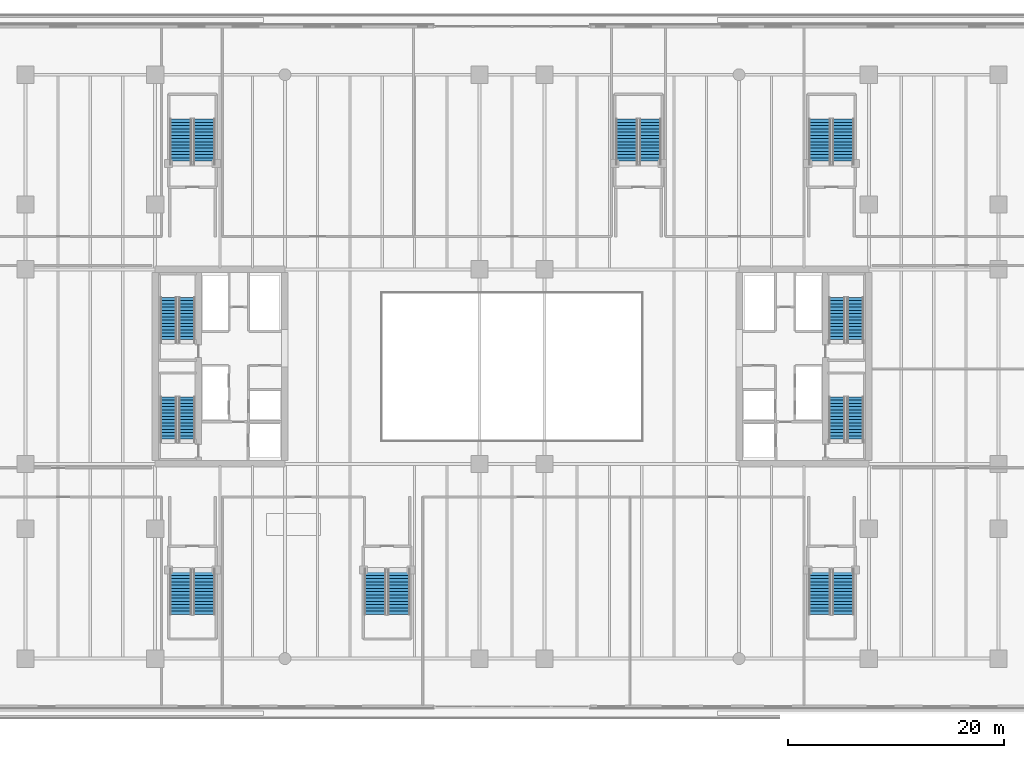
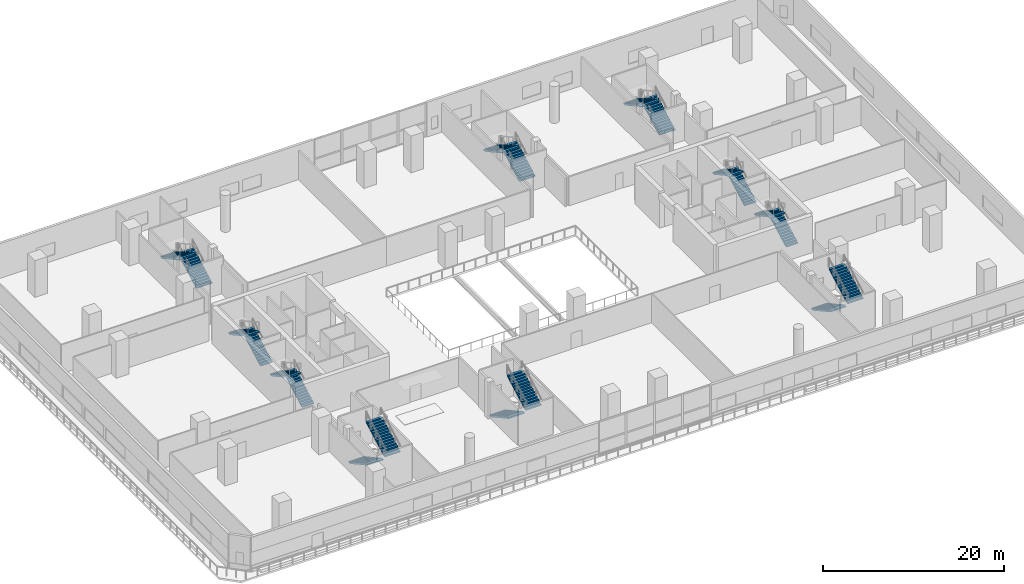
# One storey, part 17 of 27: 20 stair flights, 10 elements without a shape of their own.
"""IFC4 building model written with IfcOpenShell, lengths in metres."""

from ifc_helpers import new_model, si_unit, direction, frame, origin, place, context, subcontext, project, spatial, polyline, outline, extrude, material, type_object, element, aggregate, save


model = new_model("IFC4")

# Units and contexts
model_context = context("Model", 3, precision=1e-05, world=origin(), true_north=direction((0.0, 1.0)))
body_context = subcontext(model_context, "Body", "Model", "MODEL_VIEW")
ifc_project = project(units=[si_unit("LENGTHUNIT", "METRE"), si_unit("AREAUNIT", "SQUARE_METRE"), si_unit("VOLUMEUNIT", "CUBIC_METRE"), si_unit("PLANEANGLEUNIT", "RADIAN"), si_unit("MASSUNIT", "GRAM", prefix="KILO")], contexts=[model_context])

# Site, building, storey
site_placement = place(None, origin())
site = spatial("IfcSite", under=ifc_project, at=site_placement, CompositionType="ELEMENT")
building_placement = place(site_placement, origin())
building = spatial("IfcBuilding", under=site, at=building_placement, Name="Tanjung Sevakor Pilgrim Tower", CompositionType="ELEMENT")
storey_placement = place(building_placement, frame((0.0, 0.0, 9.89990234375)))
storey = spatial("IfcBuildingStorey", under=building, at=storey_placement, Name="L03", CompositionType="ELEMENT", Elevation=9.89990234375)

# Stair, stair flights
ifc_material_1 = material(Name="Concrete C40/50", Category="concrete")
stair_type_1 = type_object("IfcStairType", Name="STAIR-ST-CR150", PredefinedType="HALF_TURN_STAIR", material=ifc_material_1)
stair_1_placement = place(storey_placement, origin())
stair_1 = element("IfcStair", 1, at=stair_1_placement, inside=storey, type_object=stair_type_1, Name="L03 West Core Exit Stair 1", PredefinedType="HALF_TURN_STAIR")
ifc_material_2 = material(Name="Concrete C40/50", Category="concrete")
stair_flight_type_1 = type_object("IfcStairFlightType", Name="FLIGHT-ST-CR150", PredefinedType="STRAIGHT", material=ifc_material_2)
stair_flight_1_placement = place(storey_placement, frame((26.949951171875, 26.60009765625, 0.0), z_axis=(0.0, 0.0, 1.0), x_axis=(0.0, 1.0, 0.0)))
stair_flight_1 = element("IfcStairFlight", 2, at=stair_flight_1_placement, type_object=stair_flight_type_1, Name="TS-W1 flight 1", NumberOfRisers=15, NumberOfTreads=14, PredefinedType="STRAIGHT", RiserHeight=0.165, TreadLength=0.3, context=body_context, shape_type="SweptSolid", body=[
    extrude(outline(polyline([(0.0, 0.0), (0.0, 0.1650390625), (0.300048828125, 0.1650390625), (0.300048828125, 0.330078125), (0.60009765625, 0.330078125), (0.60009765625, 0.4951171875), (0.89990234375, 0.4951171875), (0.89990234375, 0.659912109375), (1.199951171875, 0.659912109375), (1.199951171875, 0.824951171875), (1.5, 0.824951171875), (1.5, 0.989990234375), (1.800048828125, 0.989990234375), (1.800048828125, 1.155029296875), (2.10009765625, 1.155029296875), (2.10009765625, 1.320068359375), (2.39990234375, 1.320068359375), (2.39990234375, 1.485107421875), (2.699951171875, 1.485107421875), (2.699951171875, 1.64990234375), (3.0, 1.64990234375), (3.0, 1.81494140625), (3.300048828125, 1.81494140625), (3.300048828125, 1.97998046875), (3.60009765625, 1.97998046875), (3.60009765625, 2.14501953125), (3.89990234375, 2.14501953125), (3.89990234375, 2.31005859375), (4.199951171875, 2.31005859375), (4.199951171875, 2.47509765625), (4.199951171875, 2.12744140625), (0.331787109375, 0.0), (0.0, 0.0)])), frame((0.0, 0.75, 0.0), z_axis=(0.0, -1.0, 0.0), x_axis=(1.0, 0.0, 0.0)), (0.0, 0.0, 1.0), 1.5),
])
stair_flight_2_placement = place(storey_placement, frame((25.25, 30.800048828125, 2.47509765625), z_axis=(0.0, 0.0, 1.0), x_axis=(0.0, -1.0, 0.0)))
stair_flight_2 = element("IfcStairFlight", 3, at=stair_flight_2_placement, type_object=stair_flight_type_1, Name="TS-W1 flight 2", NumberOfRisers=15, NumberOfTreads=14, PredefinedType="STRAIGHT", RiserHeight=0.165, TreadLength=0.3, context=body_context, shape_type="SweptSolid", body=[
    extrude(outline(polyline([(0.0, 0.0), (0.0, 0.1650390625), (0.300048828125, 0.1650390625), (0.300048828125, 0.330078125), (0.60009765625, 0.330078125), (0.60009765625, 0.4951171875), (0.89990234375, 0.4951171875), (0.89990234375, 0.659912109375), (1.199951171875, 0.659912109375), (1.199951171875, 0.824951171875), (1.5, 0.824951171875), (1.5, 0.989990234375), (1.800048828125, 0.989990234375), (1.800048828125, 1.155029296875), (2.10009765625, 1.155029296875), (2.10009765625, 1.320068359375), (2.39990234375, 1.320068359375), (2.39990234375, 1.485107421875), (2.699951171875, 1.485107421875), (2.699951171875, 1.64990234375), (3.0, 1.64990234375), (3.0, 1.81494140625), (3.300048828125, 1.81494140625), (3.300048828125, 1.97998046875), (3.60009765625, 1.97998046875), (3.60009765625, 2.14501953125), (3.89990234375, 2.14501953125), (3.89990234375, 2.31005859375), (4.199951171875, 2.31005859375), (4.199951171875, 2.47509765625), (4.199951171875, 2.12744140625), (0.331787109375, 0.0), (0.0, 0.0)])), frame((0.0, 0.75, 0.0), z_axis=(0.0, -1.0, 0.0), x_axis=(1.0, 0.0, 0.0)), (0.0, 0.0, 1.0), 1.5),
])
aggregate(stair_1, [stair_flight_1, stair_flight_2])

stair_2_placement = place(storey_placement, origin())
stair_2 = element("IfcStair", 4, at=stair_2_placement, inside=storey, type_object=stair_type_1, Name="L03 West Core Exit Stair 2", PredefinedType="HALF_TURN_STAIR")
stair_flight_3_placement = place(storey_placement, frame((26.949951171875, 35.800048828125, 0.0), z_axis=(0.0, 0.0, 1.0), x_axis=(0.0, 1.0, 0.0)))
stair_flight_3 = element("IfcStairFlight", 5, at=stair_flight_3_placement, type_object=stair_flight_type_1, Name="TS-W2 flight 1", NumberOfRisers=15, NumberOfTreads=14, PredefinedType="STRAIGHT", RiserHeight=0.165, TreadLength=0.3, context=body_context, shape_type="SweptSolid", body=[
    extrude(outline(polyline([(0.0, 0.0), (0.0, 0.1650390625), (0.300048828125, 0.1650390625), (0.300048828125, 0.330078125), (0.60009765625, 0.330078125), (0.60009765625, 0.4951171875), (0.89990234375, 0.4951171875), (0.89990234375, 0.659912109375), (1.199951171875, 0.659912109375), (1.199951171875, 0.824951171875), (1.5, 0.824951171875), (1.5, 0.989990234375), (1.800048828125, 0.989990234375), (1.800048828125, 1.155029296875), (2.10009765625, 1.155029296875), (2.10009765625, 1.320068359375), (2.39990234375, 1.320068359375), (2.39990234375, 1.485107421875), (2.699951171875, 1.485107421875), (2.699951171875, 1.64990234375), (3.0, 1.64990234375), (3.0, 1.81494140625), (3.300048828125, 1.81494140625), (3.300048828125, 1.97998046875), (3.60009765625, 1.97998046875), (3.60009765625, 2.14501953125), (3.89990234375, 2.14501953125), (3.89990234375, 2.31005859375), (4.199951171875, 2.31005859375), (4.199951171875, 2.47509765625), (4.199951171875, 2.12744140625), (0.331787109375, 0.0), (0.0, 0.0)])), frame((0.0, 0.75, 0.0), z_axis=(0.0, -1.0, 0.0), x_axis=(1.0, 0.0, 0.0)), (0.0, 0.0, 1.0), 1.5),
])
stair_flight_4_placement = place(storey_placement, frame((25.25, 40.0, 2.47509765625), z_axis=(0.0, 0.0, 1.0), x_axis=(0.0, -1.0, 0.0)))
stair_flight_4 = element("IfcStairFlight", 6, at=stair_flight_4_placement, type_object=stair_flight_type_1, Name="TS-W2 flight 2", NumberOfRisers=15, NumberOfTreads=14, PredefinedType="STRAIGHT", RiserHeight=0.165, TreadLength=0.3, context=body_context, shape_type="SweptSolid", body=[
    extrude(outline(polyline([(0.0, 0.0), (0.0, 0.1650390625), (0.300048828125, 0.1650390625), (0.300048828125, 0.330078125), (0.60009765625, 0.330078125), (0.60009765625, 0.4951171875), (0.89990234375, 0.4951171875), (0.89990234375, 0.659912109375), (1.199951171875, 0.659912109375), (1.199951171875, 0.824951171875), (1.5, 0.824951171875), (1.5, 0.989990234375), (1.800048828125, 0.989990234375), (1.800048828125, 1.155029296875), (2.10009765625, 1.155029296875), (2.10009765625, 1.320068359375), (2.39990234375, 1.320068359375), (2.39990234375, 1.485107421875), (2.699951171875, 1.485107421875), (2.699951171875, 1.64990234375), (3.0, 1.64990234375), (3.0, 1.81494140625), (3.300048828125, 1.81494140625), (3.300048828125, 1.97998046875), (3.60009765625, 1.97998046875), (3.60009765625, 2.14501953125), (3.89990234375, 2.14501953125), (3.89990234375, 2.31005859375), (4.199951171875, 2.31005859375), (4.199951171875, 2.47509765625), (4.199951171875, 2.12744140625), (0.331787109375, 0.0), (0.0, 0.0)])), frame((0.0, 0.75, 0.0), z_axis=(0.0, -1.0, 0.0), x_axis=(1.0, 0.0, 0.0)), (0.0, 0.0, 1.0), 1.5),
])
aggregate(stair_2, [stair_flight_3, stair_flight_4])

stair_3_placement = place(storey_placement, origin())
stair_3 = element("IfcStair", 7, at=stair_3_placement, inside=storey, type_object=stair_type_1, Name="L03 East Core Exit Stair 1", PredefinedType="HALF_TURN_STAIR")
stair_flight_5_placement = place(storey_placement, frame((88.75, 26.60009765625, 0.0), z_axis=(0.0, 0.0, 1.0), x_axis=(0.0, 1.0, 0.0)))
stair_flight_5 = element("IfcStairFlight", 8, at=stair_flight_5_placement, type_object=stair_flight_type_1, Name="TS-E1 flight 1", NumberOfRisers=15, NumberOfTreads=14, PredefinedType="STRAIGHT", RiserHeight=0.165, TreadLength=0.3, context=body_context, shape_type="SweptSolid", body=[
    extrude(outline(polyline([(0.0, 0.0), (0.0, 0.1650390625), (0.300048828125, 0.1650390625), (0.300048828125, 0.330078125), (0.60009765625, 0.330078125), (0.60009765625, 0.4951171875), (0.89990234375, 0.4951171875), (0.89990234375, 0.659912109375), (1.199951171875, 0.659912109375), (1.199951171875, 0.824951171875), (1.5, 0.824951171875), (1.5, 0.989990234375), (1.800048828125, 0.989990234375), (1.800048828125, 1.155029296875), (2.10009765625, 1.155029296875), (2.10009765625, 1.320068359375), (2.39990234375, 1.320068359375), (2.39990234375, 1.485107421875), (2.699951171875, 1.485107421875), (2.699951171875, 1.64990234375), (3.0, 1.64990234375), (3.0, 1.81494140625), (3.300048828125, 1.81494140625), (3.300048828125, 1.97998046875), (3.60009765625, 1.97998046875), (3.60009765625, 2.14501953125), (3.89990234375, 2.14501953125), (3.89990234375, 2.31005859375), (4.199951171875, 2.31005859375), (4.199951171875, 2.47509765625), (4.199951171875, 2.12744140625), (0.331787109375, 0.0), (0.0, 0.0)])), frame((0.0, 0.75, 0.0), z_axis=(0.0, -1.0, 0.0), x_axis=(1.0, 0.0, 0.0)), (0.0, 0.0, 1.0), 1.5),
])
stair_flight_6_placement = place(storey_placement, frame((87.050048828125, 30.800048828125, 2.47509765625), z_axis=(0.0, 0.0, 1.0), x_axis=(0.0, -1.0, 0.0)))
stair_flight_6 = element("IfcStairFlight", 9, at=stair_flight_6_placement, type_object=stair_flight_type_1, Name="TS-E1 flight 2", NumberOfRisers=15, NumberOfTreads=14, PredefinedType="STRAIGHT", RiserHeight=0.165, TreadLength=0.3, context=body_context, shape_type="SweptSolid", body=[
    extrude(outline(polyline([(0.0, 0.0), (0.0, 0.1650390625), (0.300048828125, 0.1650390625), (0.300048828125, 0.330078125), (0.60009765625, 0.330078125), (0.60009765625, 0.4951171875), (0.89990234375, 0.4951171875), (0.89990234375, 0.659912109375), (1.199951171875, 0.659912109375), (1.199951171875, 0.824951171875), (1.5, 0.824951171875), (1.5, 0.989990234375), (1.800048828125, 0.989990234375), (1.800048828125, 1.155029296875), (2.10009765625, 1.155029296875), (2.10009765625, 1.320068359375), (2.39990234375, 1.320068359375), (2.39990234375, 1.485107421875), (2.699951171875, 1.485107421875), (2.699951171875, 1.64990234375), (3.0, 1.64990234375), (3.0, 1.81494140625), (3.300048828125, 1.81494140625), (3.300048828125, 1.97998046875), (3.60009765625, 1.97998046875), (3.60009765625, 2.14501953125), (3.89990234375, 2.14501953125), (3.89990234375, 2.31005859375), (4.199951171875, 2.31005859375), (4.199951171875, 2.47509765625), (4.199951171875, 2.12744140625), (0.331787109375, 0.0), (0.0, 0.0)])), frame((0.0, 0.75, 0.0), z_axis=(0.0, -1.0, 0.0), x_axis=(1.0, 0.0, 0.0)), (0.0, 0.0, 1.0), 1.5),
])
aggregate(stair_3, [stair_flight_5, stair_flight_6])

stair_4_placement = place(storey_placement, origin())
stair_4 = element("IfcStair", 10, at=stair_4_placement, inside=storey, type_object=stair_type_1, Name="L03 East Core Exit Stair 2", PredefinedType="HALF_TURN_STAIR")
stair_flight_7_placement = place(storey_placement, frame((88.75, 35.800048828125, 0.0), z_axis=(0.0, 0.0, 1.0), x_axis=(0.0, 1.0, 0.0)))
stair_flight_7 = element("IfcStairFlight", 11, at=stair_flight_7_placement, type_object=stair_flight_type_1, Name="TS-E2 flight 1", NumberOfRisers=15, NumberOfTreads=14, PredefinedType="STRAIGHT", RiserHeight=0.165, TreadLength=0.3, context=body_context, shape_type="SweptSolid", body=[
    extrude(outline(polyline([(0.0, 0.0), (0.0, 0.1650390625), (0.300048828125, 0.1650390625), (0.300048828125, 0.330078125), (0.60009765625, 0.330078125), (0.60009765625, 0.4951171875), (0.89990234375, 0.4951171875), (0.89990234375, 0.659912109375), (1.199951171875, 0.659912109375), (1.199951171875, 0.824951171875), (1.5, 0.824951171875), (1.5, 0.989990234375), (1.800048828125, 0.989990234375), (1.800048828125, 1.155029296875), (2.10009765625, 1.155029296875), (2.10009765625, 1.320068359375), (2.39990234375, 1.320068359375), (2.39990234375, 1.485107421875), (2.699951171875, 1.485107421875), (2.699951171875, 1.64990234375), (3.0, 1.64990234375), (3.0, 1.81494140625), (3.300048828125, 1.81494140625), (3.300048828125, 1.97998046875), (3.60009765625, 1.97998046875), (3.60009765625, 2.14501953125), (3.89990234375, 2.14501953125), (3.89990234375, 2.31005859375), (4.199951171875, 2.31005859375), (4.199951171875, 2.47509765625), (4.199951171875, 2.12744140625), (0.331787109375, 0.0), (0.0, 0.0)])), frame((0.0, 0.75, 0.0), z_axis=(0.0, -1.0, 0.0), x_axis=(1.0, 0.0, 0.0)), (0.0, 0.0, 1.0), 1.5),
])
stair_flight_8_placement = place(storey_placement, frame((87.050048828125, 40.0, 2.47509765625), z_axis=(0.0, 0.0, 1.0), x_axis=(0.0, -1.0, 0.0)))
stair_flight_8 = element("IfcStairFlight", 12, at=stair_flight_8_placement, type_object=stair_flight_type_1, Name="TS-E2 flight 2", NumberOfRisers=15, NumberOfTreads=14, PredefinedType="STRAIGHT", RiserHeight=0.165, TreadLength=0.3, context=body_context, shape_type="SweptSolid", body=[
    extrude(outline(polyline([(0.0, 0.0), (0.0, 0.1650390625), (0.300048828125, 0.1650390625), (0.300048828125, 0.330078125), (0.60009765625, 0.330078125), (0.60009765625, 0.4951171875), (0.89990234375, 0.4951171875), (0.89990234375, 0.659912109375), (1.199951171875, 0.659912109375), (1.199951171875, 0.824951171875), (1.5, 0.824951171875), (1.5, 0.989990234375), (1.800048828125, 0.989990234375), (1.800048828125, 1.155029296875), (2.10009765625, 1.155029296875), (2.10009765625, 1.320068359375), (2.39990234375, 1.320068359375), (2.39990234375, 1.485107421875), (2.699951171875, 1.485107421875), (2.699951171875, 1.64990234375), (3.0, 1.64990234375), (3.0, 1.81494140625), (3.300048828125, 1.81494140625), (3.300048828125, 1.97998046875), (3.60009765625, 1.97998046875), (3.60009765625, 2.14501953125), (3.89990234375, 2.14501953125), (3.89990234375, 2.31005859375), (4.199951171875, 2.31005859375), (4.199951171875, 2.47509765625), (4.199951171875, 2.12744140625), (0.331787109375, 0.0), (0.0, 0.0)])), frame((0.0, 0.75, 0.0), z_axis=(0.0, -1.0, 0.0), x_axis=(1.0, 0.0, 0.0)), (0.0, 0.0, 1.0), 1.5),
])
aggregate(stair_4, [stair_flight_7, stair_flight_8])

ifc_material_3 = material(Name="Concrete C40/50", Category="concrete")
stair_type_2 = type_object("IfcStairType", Name="STAIR-ST-PD200", PredefinedType="HALF_TURN_STAIR", material=ifc_material_3)
stair_5_placement = place(storey_placement, origin())
stair_5 = element("IfcStair", 13, at=stair_5_placement, inside=storey, type_object=stair_type_2, Name="L03 Podium South-West Assembly Stair", PredefinedType="HALF_TURN_STAIR")
ifc_material_4 = material(Name="Concrete C40/50", Category="concrete")
stair_flight_type_2 = type_object("IfcStairFlightType", Name="FLIGHT-ST-PD200", PredefinedType="STRAIGHT", material=ifc_material_4)
stair_flight_9_placement = place(storey_placement, frame((26.35009765625, 14.89990234375, 0.0), z_axis=(0.0, 0.0, 1.0), x_axis=(0.0, -1.0, 0.0)))
stair_flight_9 = element("IfcStairFlight", 14, at=stair_flight_9_placement, type_object=stair_flight_type_2, Name="PS-1 flight 1", NumberOfRisers=15, NumberOfTreads=14, PredefinedType="STRAIGHT", RiserHeight=0.165, TreadLength=0.3, context=body_context, shape_type="SweptSolid", body=[
    extrude(outline(polyline([(0.0, 0.0), (0.0, 0.1650390625), (0.300048828125, 0.1650390625), (0.300048828125, 0.330078125), (0.60009765625, 0.330078125), (0.60009765625, 0.4951171875), (0.89990234375, 0.4951171875), (0.89990234375, 0.659912109375), (1.199951171875, 0.659912109375), (1.199951171875, 0.824951171875), (1.5, 0.824951171875), (1.5, 0.989990234375), (1.800048828125, 0.989990234375), (1.800048828125, 1.155029296875), (2.10009765625, 1.155029296875), (2.10009765625, 1.320068359375), (2.39990234375, 1.320068359375), (2.39990234375, 1.485107421875), (2.699951171875, 1.485107421875), (2.699951171875, 1.64990234375), (3.0, 1.64990234375), (3.0, 1.81494140625), (3.300048828125, 1.81494140625), (3.300048828125, 1.97998046875), (3.60009765625, 1.97998046875), (3.60009765625, 2.14501953125), (3.89990234375, 2.14501953125), (3.89990234375, 2.31005859375), (4.199951171875, 2.31005859375), (4.199951171875, 2.47509765625), (4.199951171875, 2.12744140625), (0.331787109375, 0.0), (0.0, 0.0)])), frame((0.0, 1.0, 0.0), z_axis=(0.0, -1.0, 0.0), x_axis=(1.0, 0.0, 0.0)), (0.0, 0.0, 1.0), 2.0),
])
stair_flight_10_placement = place(storey_placement, frame((28.550048828125, 10.699951171875, 2.47509765625), z_axis=(0.0, 0.0, 1.0), x_axis=(0.0, 1.0, 0.0)))
stair_flight_10 = element("IfcStairFlight", 15, at=stair_flight_10_placement, type_object=stair_flight_type_2, Name="PS-1 flight 2", NumberOfRisers=15, NumberOfTreads=14, PredefinedType="STRAIGHT", RiserHeight=0.165, TreadLength=0.3, context=body_context, shape_type="SweptSolid", body=[
    extrude(outline(polyline([(0.0, 0.0), (0.0, 0.1650390625), (0.300048828125, 0.1650390625), (0.300048828125, 0.330078125), (0.60009765625, 0.330078125), (0.60009765625, 0.4951171875), (0.89990234375, 0.4951171875), (0.89990234375, 0.659912109375), (1.199951171875, 0.659912109375), (1.199951171875, 0.824951171875), (1.5, 0.824951171875), (1.5, 0.989990234375), (1.800048828125, 0.989990234375), (1.800048828125, 1.155029296875), (2.10009765625, 1.155029296875), (2.10009765625, 1.320068359375), (2.39990234375, 1.320068359375), (2.39990234375, 1.485107421875), (2.699951171875, 1.485107421875), (2.699951171875, 1.64990234375), (3.0, 1.64990234375), (3.0, 1.81494140625), (3.300048828125, 1.81494140625), (3.300048828125, 1.97998046875), (3.60009765625, 1.97998046875), (3.60009765625, 2.14501953125), (3.89990234375, 2.14501953125), (3.89990234375, 2.31005859375), (4.199951171875, 2.31005859375), (4.199951171875, 2.47509765625), (4.199951171875, 2.12744140625), (0.331787109375, 0.0), (0.0, 0.0)])), frame((0.0, 1.0, 0.0), z_axis=(0.0, -1.0, 0.0), x_axis=(1.0, 0.0, 0.0)), (0.0, 0.0, 1.0), 2.0),
])
aggregate(stair_5, [stair_flight_9, stair_flight_10])

stair_6_placement = place(storey_placement, origin())
stair_6 = element("IfcStair", 16, at=stair_6_placement, inside=storey, type_object=stair_type_2, Name="L03 Podium North-West Assembly Stair", PredefinedType="HALF_TURN_STAIR")
stair_flight_11_placement = place(storey_placement, frame((28.550048828125, 52.300048828125, 0.0), z_axis=(0.0, 0.0, 1.0), x_axis=(0.0, 1.0, 0.0)))
stair_flight_11 = element("IfcStairFlight", 17, at=stair_flight_11_placement, type_object=stair_flight_type_2, Name="PS-2 flight 1", NumberOfRisers=15, NumberOfTreads=14, PredefinedType="STRAIGHT", RiserHeight=0.165, TreadLength=0.3, context=body_context, shape_type="SweptSolid", body=[
    extrude(outline(polyline([(0.0, 0.0), (0.0, 0.1650390625), (0.300048828125, 0.1650390625), (0.300048828125, 0.330078125), (0.60009765625, 0.330078125), (0.60009765625, 0.4951171875), (0.89990234375, 0.4951171875), (0.89990234375, 0.659912109375), (1.199951171875, 0.659912109375), (1.199951171875, 0.824951171875), (1.5, 0.824951171875), (1.5, 0.989990234375), (1.800048828125, 0.989990234375), (1.800048828125, 1.155029296875), (2.10009765625, 1.155029296875), (2.10009765625, 1.320068359375), (2.39990234375, 1.320068359375), (2.39990234375, 1.485107421875), (2.699951171875, 1.485107421875), (2.699951171875, 1.64990234375), (3.0, 1.64990234375), (3.0, 1.81494140625), (3.300048828125, 1.81494140625), (3.300048828125, 1.97998046875), (3.60009765625, 1.97998046875), (3.60009765625, 2.14501953125), (3.89990234375, 2.14501953125), (3.89990234375, 2.31005859375), (4.199951171875, 2.31005859375), (4.199951171875, 2.47509765625), (4.199951171875, 2.12744140625), (0.331787109375, 0.0), (0.0, 0.0)])), frame((0.0, 1.0, 0.0), z_axis=(0.0, -1.0, 0.0), x_axis=(1.0, 0.0, 0.0)), (0.0, 0.0, 1.0), 2.0),
])
stair_flight_12_placement = place(storey_placement, frame((26.35009765625, 56.5, 2.47509765625), z_axis=(0.0, 0.0, 1.0), x_axis=(0.0, -1.0, 0.0)))
stair_flight_12 = element("IfcStairFlight", 18, at=stair_flight_12_placement, type_object=stair_flight_type_2, Name="PS-2 flight 2", NumberOfRisers=15, NumberOfTreads=14, PredefinedType="STRAIGHT", RiserHeight=0.165, TreadLength=0.3, context=body_context, shape_type="SweptSolid", body=[
    extrude(outline(polyline([(0.0, 0.0), (0.0, 0.1650390625), (0.300048828125, 0.1650390625), (0.300048828125, 0.330078125), (0.60009765625, 0.330078125), (0.60009765625, 0.4951171875), (0.89990234375, 0.4951171875), (0.89990234375, 0.659912109375), (1.199951171875, 0.659912109375), (1.199951171875, 0.824951171875), (1.5, 0.824951171875), (1.5, 0.989990234375), (1.800048828125, 0.989990234375), (1.800048828125, 1.155029296875), (2.10009765625, 1.155029296875), (2.10009765625, 1.320068359375), (2.39990234375, 1.320068359375), (2.39990234375, 1.485107421875), (2.699951171875, 1.485107421875), (2.699951171875, 1.64990234375), (3.0, 1.64990234375), (3.0, 1.81494140625), (3.300048828125, 1.81494140625), (3.300048828125, 1.97998046875), (3.60009765625, 1.97998046875), (3.60009765625, 2.14501953125), (3.89990234375, 2.14501953125), (3.89990234375, 2.31005859375), (4.199951171875, 2.31005859375), (4.199951171875, 2.47509765625), (4.199951171875, 2.12744140625), (0.331787109375, 0.0), (0.0, 0.0)])), frame((0.0, 1.0, 0.0), z_axis=(0.0, -1.0, 0.0), x_axis=(1.0, 0.0, 0.0)), (0.0, 0.0, 1.0), 2.0),
])
aggregate(stair_6, [stair_flight_11, stair_flight_12])

stair_7_placement = place(storey_placement, origin())
stair_7 = element("IfcStair", 19, at=stair_7_placement, inside=storey, type_object=stair_type_2, Name="L03 Podium South-Central Assembly Stair", PredefinedType="HALF_TURN_STAIR")
stair_flight_13_placement = place(storey_placement, frame((44.35009765625, 14.89990234375, 0.0), z_axis=(0.0, 0.0, 1.0), x_axis=(0.0, -1.0, 0.0)))
stair_flight_13 = element("IfcStairFlight", 20, at=stair_flight_13_placement, type_object=stair_flight_type_2, Name="PS-3 flight 1", NumberOfRisers=15, NumberOfTreads=14, PredefinedType="STRAIGHT", RiserHeight=0.165, TreadLength=0.3, context=body_context, shape_type="SweptSolid", body=[
    extrude(outline(polyline([(0.0, 0.0), (0.0, 0.1650390625), (0.300048828125, 0.1650390625), (0.300048828125, 0.330078125), (0.60009765625, 0.330078125), (0.60009765625, 0.4951171875), (0.89990234375, 0.4951171875), (0.89990234375, 0.659912109375), (1.199951171875, 0.659912109375), (1.199951171875, 0.824951171875), (1.5, 0.824951171875), (1.5, 0.989990234375), (1.800048828125, 0.989990234375), (1.800048828125, 1.155029296875), (2.10009765625, 1.155029296875), (2.10009765625, 1.320068359375), (2.39990234375, 1.320068359375), (2.39990234375, 1.485107421875), (2.699951171875, 1.485107421875), (2.699951171875, 1.64990234375), (3.0, 1.64990234375), (3.0, 1.81494140625), (3.300048828125, 1.81494140625), (3.300048828125, 1.97998046875), (3.60009765625, 1.97998046875), (3.60009765625, 2.14501953125), (3.89990234375, 2.14501953125), (3.89990234375, 2.31005859375), (4.199951171875, 2.31005859375), (4.199951171875, 2.47509765625), (4.199951171875, 2.12744140625), (0.331787109375, 0.0), (0.0, 0.0)])), frame((0.0, 1.0, 0.0), z_axis=(0.0, -1.0, 0.0), x_axis=(1.0, 0.0, 0.0)), (0.0, 0.0, 1.0), 2.0),
])
stair_flight_14_placement = place(storey_placement, frame((46.550048828125, 10.699951171875, 2.47509765625), z_axis=(0.0, 0.0, 1.0), x_axis=(0.0, 1.0, 0.0)))
stair_flight_14 = element("IfcStairFlight", 21, at=stair_flight_14_placement, type_object=stair_flight_type_2, Name="PS-3 flight 2", NumberOfRisers=15, NumberOfTreads=14, PredefinedType="STRAIGHT", RiserHeight=0.165, TreadLength=0.3, context=body_context, shape_type="SweptSolid", body=[
    extrude(outline(polyline([(0.0, 0.0), (0.0, 0.1650390625), (0.300048828125, 0.1650390625), (0.300048828125, 0.330078125), (0.60009765625, 0.330078125), (0.60009765625, 0.4951171875), (0.89990234375, 0.4951171875), (0.89990234375, 0.659912109375), (1.199951171875, 0.659912109375), (1.199951171875, 0.824951171875), (1.5, 0.824951171875), (1.5, 0.989990234375), (1.800048828125, 0.989990234375), (1.800048828125, 1.155029296875), (2.10009765625, 1.155029296875), (2.10009765625, 1.320068359375), (2.39990234375, 1.320068359375), (2.39990234375, 1.485107421875), (2.699951171875, 1.485107421875), (2.699951171875, 1.64990234375), (3.0, 1.64990234375), (3.0, 1.81494140625), (3.300048828125, 1.81494140625), (3.300048828125, 1.97998046875), (3.60009765625, 1.97998046875), (3.60009765625, 2.14501953125), (3.89990234375, 2.14501953125), (3.89990234375, 2.31005859375), (4.199951171875, 2.31005859375), (4.199951171875, 2.47509765625), (4.199951171875, 2.12744140625), (0.331787109375, 0.0), (0.0, 0.0)])), frame((0.0, 1.0, 0.0), z_axis=(0.0, -1.0, 0.0), x_axis=(1.0, 0.0, 0.0)), (0.0, 0.0, 1.0), 2.0),
])
aggregate(stair_7, [stair_flight_13, stair_flight_14])

stair_8_placement = place(storey_placement, origin())
stair_8 = element("IfcStair", 22, at=stair_8_placement, inside=storey, type_object=stair_type_2, Name="L03 Podium North-Central Assembly Stair", PredefinedType="HALF_TURN_STAIR")
stair_flight_15_placement = place(storey_placement, frame((69.800048828125, 52.300048828125, 0.0), z_axis=(0.0, 0.0, 1.0), x_axis=(0.0, 1.0, 0.0)))
stair_flight_15 = element("IfcStairFlight", 23, at=stair_flight_15_placement, type_object=stair_flight_type_2, Name="PS-4 flight 1", NumberOfRisers=15, NumberOfTreads=14, PredefinedType="STRAIGHT", RiserHeight=0.165, TreadLength=0.3, context=body_context, shape_type="SweptSolid", body=[
    extrude(outline(polyline([(0.0, 0.0), (0.0, 0.1650390625), (0.300048828125, 0.1650390625), (0.300048828125, 0.330078125), (0.60009765625, 0.330078125), (0.60009765625, 0.4951171875), (0.89990234375, 0.4951171875), (0.89990234375, 0.659912109375), (1.199951171875, 0.659912109375), (1.199951171875, 0.824951171875), (1.5, 0.824951171875), (1.5, 0.989990234375), (1.800048828125, 0.989990234375), (1.800048828125, 1.155029296875), (2.10009765625, 1.155029296875), (2.10009765625, 1.320068359375), (2.39990234375, 1.320068359375), (2.39990234375, 1.485107421875), (2.699951171875, 1.485107421875), (2.699951171875, 1.64990234375), (3.0, 1.64990234375), (3.0, 1.81494140625), (3.300048828125, 1.81494140625), (3.300048828125, 1.97998046875), (3.60009765625, 1.97998046875), (3.60009765625, 2.14501953125), (3.89990234375, 2.14501953125), (3.89990234375, 2.31005859375), (4.199951171875, 2.31005859375), (4.199951171875, 2.47509765625), (4.199951171875, 2.12744140625), (0.331787109375, 0.0), (0.0, 0.0)])), frame((0.0, 1.0, 0.0), z_axis=(0.0, -1.0, 0.0), x_axis=(1.0, 0.0, 0.0)), (0.0, 0.0, 1.0), 2.0),
])
stair_flight_16_placement = place(storey_placement, frame((67.60009765625, 56.5, 2.47509765625), z_axis=(0.0, 0.0, 1.0), x_axis=(0.0, -1.0, 0.0)))
stair_flight_16 = element("IfcStairFlight", 24, at=stair_flight_16_placement, type_object=stair_flight_type_2, Name="PS-4 flight 2", NumberOfRisers=15, NumberOfTreads=14, PredefinedType="STRAIGHT", RiserHeight=0.165, TreadLength=0.3, context=body_context, shape_type="SweptSolid", body=[
    extrude(outline(polyline([(0.0, 0.0), (0.0, 0.1650390625), (0.300048828125, 0.1650390625), (0.300048828125, 0.330078125), (0.60009765625, 0.330078125), (0.60009765625, 0.4951171875), (0.89990234375, 0.4951171875), (0.89990234375, 0.659912109375), (1.199951171875, 0.659912109375), (1.199951171875, 0.824951171875), (1.5, 0.824951171875), (1.5, 0.989990234375), (1.800048828125, 0.989990234375), (1.800048828125, 1.155029296875), (2.10009765625, 1.155029296875), (2.10009765625, 1.320068359375), (2.39990234375, 1.320068359375), (2.39990234375, 1.485107421875), (2.699951171875, 1.485107421875), (2.699951171875, 1.64990234375), (3.0, 1.64990234375), (3.0, 1.81494140625), (3.300048828125, 1.81494140625), (3.300048828125, 1.97998046875), (3.60009765625, 1.97998046875), (3.60009765625, 2.14501953125), (3.89990234375, 2.14501953125), (3.89990234375, 2.31005859375), (4.199951171875, 2.31005859375), (4.199951171875, 2.47509765625), (4.199951171875, 2.12744140625), (0.331787109375, 0.0), (0.0, 0.0)])), frame((0.0, 1.0, 0.0), z_axis=(0.0, -1.0, 0.0), x_axis=(1.0, 0.0, 0.0)), (0.0, 0.0, 1.0), 2.0),
])
aggregate(stair_8, [stair_flight_15, stair_flight_16])

stair_9_placement = place(storey_placement, origin())
stair_9 = element("IfcStair", 25, at=stair_9_placement, inside=storey, type_object=stair_type_2, Name="L03 Podium South-East Assembly Stair", PredefinedType="HALF_TURN_STAIR")
stair_flight_17_placement = place(storey_placement, frame((85.449951171875, 14.89990234375, 0.0), z_axis=(0.0, 0.0, 1.0), x_axis=(0.0, -1.0, 0.0)))
stair_flight_17 = element("IfcStairFlight", 26, at=stair_flight_17_placement, type_object=stair_flight_type_2, Name="PS-5 flight 1", NumberOfRisers=15, NumberOfTreads=14, PredefinedType="STRAIGHT", RiserHeight=0.165, TreadLength=0.3, context=body_context, shape_type="SweptSolid", body=[
    extrude(outline(polyline([(0.0, 0.0), (0.0, 0.1650390625), (0.300048828125, 0.1650390625), (0.300048828125, 0.330078125), (0.60009765625, 0.330078125), (0.60009765625, 0.4951171875), (0.89990234375, 0.4951171875), (0.89990234375, 0.659912109375), (1.199951171875, 0.659912109375), (1.199951171875, 0.824951171875), (1.5, 0.824951171875), (1.5, 0.989990234375), (1.800048828125, 0.989990234375), (1.800048828125, 1.155029296875), (2.10009765625, 1.155029296875), (2.10009765625, 1.320068359375), (2.39990234375, 1.320068359375), (2.39990234375, 1.485107421875), (2.699951171875, 1.485107421875), (2.699951171875, 1.64990234375), (3.0, 1.64990234375), (3.0, 1.81494140625), (3.300048828125, 1.81494140625), (3.300048828125, 1.97998046875), (3.60009765625, 1.97998046875), (3.60009765625, 2.14501953125), (3.89990234375, 2.14501953125), (3.89990234375, 2.31005859375), (4.199951171875, 2.31005859375), (4.199951171875, 2.47509765625), (4.199951171875, 2.12744140625), (0.331787109375, 0.0), (0.0, 0.0)])), frame((0.0, 1.0, 0.0), z_axis=(0.0, -1.0, 0.0), x_axis=(1.0, 0.0, 0.0)), (0.0, 0.0, 1.0), 2.0),
])
stair_flight_18_placement = place(storey_placement, frame((87.64990234375, 10.699951171875, 2.47509765625), z_axis=(0.0, 0.0, 1.0), x_axis=(0.0, 1.0, 0.0)))
stair_flight_18 = element("IfcStairFlight", 27, at=stair_flight_18_placement, type_object=stair_flight_type_2, Name="PS-5 flight 2", NumberOfRisers=15, NumberOfTreads=14, PredefinedType="STRAIGHT", RiserHeight=0.165, TreadLength=0.3, context=body_context, shape_type="SweptSolid", body=[
    extrude(outline(polyline([(0.0, 0.0), (0.0, 0.1650390625), (0.300048828125, 0.1650390625), (0.300048828125, 0.330078125), (0.60009765625, 0.330078125), (0.60009765625, 0.4951171875), (0.89990234375, 0.4951171875), (0.89990234375, 0.659912109375), (1.199951171875, 0.659912109375), (1.199951171875, 0.824951171875), (1.5, 0.824951171875), (1.5, 0.989990234375), (1.800048828125, 0.989990234375), (1.800048828125, 1.155029296875), (2.10009765625, 1.155029296875), (2.10009765625, 1.320068359375), (2.39990234375, 1.320068359375), (2.39990234375, 1.485107421875), (2.699951171875, 1.485107421875), (2.699951171875, 1.64990234375), (3.0, 1.64990234375), (3.0, 1.81494140625), (3.300048828125, 1.81494140625), (3.300048828125, 1.97998046875), (3.60009765625, 1.97998046875), (3.60009765625, 2.14501953125), (3.89990234375, 2.14501953125), (3.89990234375, 2.31005859375), (4.199951171875, 2.31005859375), (4.199951171875, 2.47509765625), (4.199951171875, 2.12744140625), (0.331787109375, 0.0), (0.0, 0.0)])), frame((0.0, 1.0, 0.0), z_axis=(0.0, -1.0, 0.0), x_axis=(1.0, 0.0, 0.0)), (0.0, 0.0, 1.0), 2.0),
])
aggregate(stair_9, [stair_flight_17, stair_flight_18])

stair_10_placement = place(storey_placement, origin())
stair_10 = element("IfcStair", 28, at=stair_10_placement, inside=storey, type_object=stair_type_2, Name="L03 Podium North-East Assembly Stair", PredefinedType="HALF_TURN_STAIR")
stair_flight_19_placement = place(storey_placement, frame((87.64990234375, 52.300048828125, 0.0), z_axis=(0.0, 0.0, 1.0), x_axis=(0.0, 1.0, 0.0)))
stair_flight_19 = element("IfcStairFlight", 29, at=stair_flight_19_placement, type_object=stair_flight_type_2, Name="PS-6 flight 1", NumberOfRisers=15, NumberOfTreads=14, PredefinedType="STRAIGHT", RiserHeight=0.165, TreadLength=0.3, context=body_context, shape_type="SweptSolid", body=[
    extrude(outline(polyline([(0.0, 0.0), (0.0, 0.1650390625), (0.300048828125, 0.1650390625), (0.300048828125, 0.330078125), (0.60009765625, 0.330078125), (0.60009765625, 0.4951171875), (0.89990234375, 0.4951171875), (0.89990234375, 0.659912109375), (1.199951171875, 0.659912109375), (1.199951171875, 0.824951171875), (1.5, 0.824951171875), (1.5, 0.989990234375), (1.800048828125, 0.989990234375), (1.800048828125, 1.155029296875), (2.10009765625, 1.155029296875), (2.10009765625, 1.320068359375), (2.39990234375, 1.320068359375), (2.39990234375, 1.485107421875), (2.699951171875, 1.485107421875), (2.699951171875, 1.64990234375), (3.0, 1.64990234375), (3.0, 1.81494140625), (3.300048828125, 1.81494140625), (3.300048828125, 1.97998046875), (3.60009765625, 1.97998046875), (3.60009765625, 2.14501953125), (3.89990234375, 2.14501953125), (3.89990234375, 2.31005859375), (4.199951171875, 2.31005859375), (4.199951171875, 2.47509765625), (4.199951171875, 2.12744140625), (0.331787109375, 0.0), (0.0, 0.0)])), frame((0.0, 1.0, 0.0), z_axis=(0.0, -1.0, 0.0), x_axis=(1.0, 0.0, 0.0)), (0.0, 0.0, 1.0), 2.0),
])
stair_flight_20_placement = place(storey_placement, frame((85.449951171875, 56.5, 2.47509765625), z_axis=(0.0, 0.0, 1.0), x_axis=(0.0, -1.0, 0.0)))
stair_flight_20 = element("IfcStairFlight", 30, at=stair_flight_20_placement, type_object=stair_flight_type_2, Name="PS-6 flight 2", NumberOfRisers=15, NumberOfTreads=14, PredefinedType="STRAIGHT", RiserHeight=0.165, TreadLength=0.3, context=body_context, shape_type="SweptSolid", body=[
    extrude(outline(polyline([(0.0, 0.0), (0.0, 0.1650390625), (0.300048828125, 0.1650390625), (0.300048828125, 0.330078125), (0.60009765625, 0.330078125), (0.60009765625, 0.4951171875), (0.89990234375, 0.4951171875), (0.89990234375, 0.659912109375), (1.199951171875, 0.659912109375), (1.199951171875, 0.824951171875), (1.5, 0.824951171875), (1.5, 0.989990234375), (1.800048828125, 0.989990234375), (1.800048828125, 1.155029296875), (2.10009765625, 1.155029296875), (2.10009765625, 1.320068359375), (2.39990234375, 1.320068359375), (2.39990234375, 1.485107421875), (2.699951171875, 1.485107421875), (2.699951171875, 1.64990234375), (3.0, 1.64990234375), (3.0, 1.81494140625), (3.300048828125, 1.81494140625), (3.300048828125, 1.97998046875), (3.60009765625, 1.97998046875), (3.60009765625, 2.14501953125), (3.89990234375, 2.14501953125), (3.89990234375, 2.31005859375), (4.199951171875, 2.31005859375), (4.199951171875, 2.47509765625), (4.199951171875, 2.12744140625), (0.331787109375, 0.0), (0.0, 0.0)])), frame((0.0, 1.0, 0.0), z_axis=(0.0, -1.0, 0.0), x_axis=(1.0, 0.0, 0.0)), (0.0, 0.0, 1.0), 2.0),
])
aggregate(stair_10, [stair_flight_19, stair_flight_20])

save(model, "model.ifc")
